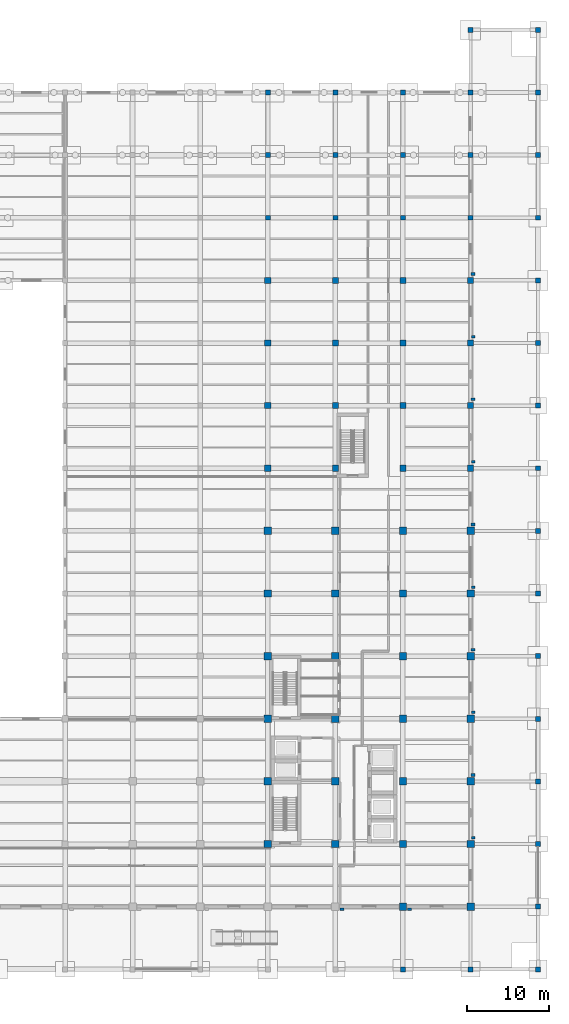
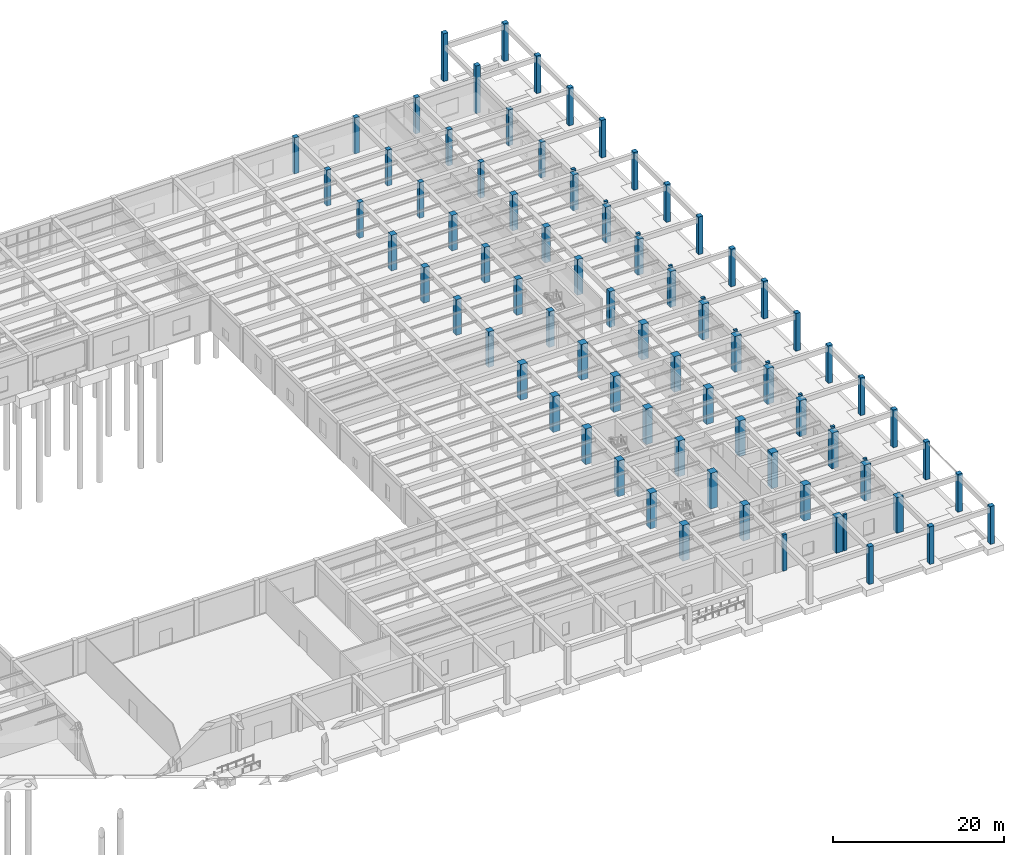
# One storey, part 10 of 64: 85 columns.
"""IFC4 building model written with IfcOpenShell, lengths in metres."""

from ifc_helpers import new_model, si_unit, direction, frame, origin, origin_2d, place, context, subcontext, project, spatial, rectangle, extrude, material, material_profile, profile_set, type_object, element, save


model = new_model("IFC4")

# Units and contexts
model_context = context("Model", 3, precision=1e-05, world=origin(), true_north=direction((0.0, 1.0)))
body_context = subcontext(model_context, "Body", "Model", "MODEL_VIEW")
ifc_project = project(units=[si_unit("LENGTHUNIT", "METRE"), si_unit("AREAUNIT", "SQUARE_METRE"), si_unit("VOLUMEUNIT", "CUBIC_METRE"), si_unit("PLANEANGLEUNIT", "RADIAN"), si_unit("MASSUNIT", "GRAM", prefix="KILO")], contexts=[model_context])

# Site, building, storey
site_placement = place(None, origin())
site = spatial("IfcSite", under=ifc_project, at=site_placement, CompositionType="ELEMENT")
building_placement = place(site_placement, origin())
building = spatial("IfcBuilding", under=site, at=building_placement, Name="Qandaris Square Conservatory and Botanical Centre", CompositionType="ELEMENT")
storey_placement = place(building_placement, origin())
storey = spatial("IfcBuildingStorey", under=building, at=storey_placement, Name="L00", CompositionType="ELEMENT", Elevation=0.0)

# Columns
ifc_material_1 = material(Name="Concrete C50/60", Category="concrete")
ifc_material_profile_1 = material_profile(ifc_material_1, rectangle(XDim=0.449951171875, YDim=0.300048828125, at=origin_2d()), Name="RC-PIL 450x300")
ifc_profile_set_1 = profile_set([ifc_material_profile_1], Name="Concrete C50/60")
column_type_1 = type_object("IfcColumnType", Name="Engaged Prairie Pilaster 450x300", PredefinedType="PILASTER", material=ifc_profile_set_1)
for number, where, z_axis, x_axis, name in (
    (1, (156.3798828125, 16.280029296875, 0.0), (0.0, 0.0, 1.0), (1.0, 0.0, 0.0), "Prairie Pilaster 10 (L00)"),
    (2, (164.1201171875, 24.97998046875, 0.0), (0.0, 0.0, 1.0), (1.0, 0.0, 0.0), "Prairie Pilaster 11 (L00)"),
    (3, (164.1201171875, 40.179931640625, 0.0), (0.0, 0.0, 1.0), (1.0, 0.0, 0.0), "Prairie Pilaster 13 (L00)"),
    (4, (164.1201171875, 55.3798828125, 0.0), (0.0, 0.0, 1.0), (1.0, 0.0, 0.0), "Prairie Pilaster 15 (L00)"),
    (5, (164.1201171875, 70.580078125, 0.0), (0.0, 0.0, 1.0), (1.0, 0.0, 0.0), "Prairie Pilaster 17 (L00)"),
    (6, (164.1201171875, 85.780029296875, 0.0), (0.0, 0.0, 1.0), (1.0, 0.0, 0.0), "Prairie Pilaster 19 (L00)"),
):
    element("IfcColumn", number, at=place(storey_placement, frame(where, z_axis=z_axis, x_axis=x_axis)), inside=storey, type_object=column_type_1, Name=name, PredefinedType="PILASTER", context=body_context, shape_type="SweptSolid", body=[
        extrude(rectangle(XDim=0.449951171875, YDim=0.300048828125, at=origin_2d()), origin(), (0.0, 0.0, 1.0), 5.175048828125),
    ])
ifc_material_profile_2 = material_profile(ifc_material_1, rectangle(XDim=0.5, YDim=0.35009765625, at=origin_2d()), Name="RC-PIL 500x350")
ifc_profile_set_2 = profile_set([ifc_material_profile_2], Name="Concrete C50/60")
column_type_2 = type_object("IfcColumnType", Name="Engaged Prairie Pilaster 500x350", PredefinedType="PILASTER", material=ifc_profile_set_2)
for number, where, z_axis, x_axis, name in (
    (7, (148.179931640625, 16.280029296875, 0.0), (0.0, 0.0, 1.0), (1.0, 0.0, 0.0), "Prairie Pilaster 09 (L00)"),
    (8, (164.1201171875, 32.580078125, 0.0), (0.0, 0.0, 1.0), (1.0, 0.0, 0.0), "Prairie Pilaster 12 (L00)"),
    (9, (164.1201171875, 47.780029296875, 0.0), (0.0, 0.0, 1.0), (1.0, 0.0, 0.0), "Prairie Pilaster 14 (L00)"),
    (10, (164.1201171875, 62.97998046875, 0.0), (0.0, 0.0, 1.0), (1.0, 0.0, 0.0), "Prairie Pilaster 16 (L00)"),
    (11, (164.1201171875, 78.179931640625, 0.0), (0.0, 0.0, 1.0), (1.0, 0.0, 0.0), "Prairie Pilaster 18 (L00)"),
    (12, (164.1201171875, 93.3798828125, 0.0), (0.0, 0.0, 1.0), (1.0, 0.0, 0.0), "Prairie Pilaster 20 (L00)"),
):
    element("IfcColumn", number, at=place(storey_placement, frame(where, z_axis=z_axis, x_axis=x_axis)), inside=storey, type_object=column_type_2, Name=name, PredefinedType="PILASTER", context=body_context, shape_type="SweptSolid", body=[
        extrude(rectangle(XDim=0.5, YDim=0.35009765625, at=origin_2d()), origin(), (0.0, 0.0, 1.0), 5.175048828125),
    ])
ifc_material_2 = material(Name="Concrete C40/50", Category="concrete")
ifc_material_profile_3 = material_profile(ifc_material_2, rectangle(XDim=0.60009765625, YDim=0.60009765625, at=origin_2d()), Name="RC-COL 600x600")
ifc_profile_set_3 = profile_set([ifc_material_profile_3], Name="Concrete C40/50")
column_type_3 = type_object("IfcColumnType", Name="RC Column 600x600", PredefinedType="COLUMN", material=ifc_profile_set_3)
column_1_placement = place(storey_placement, frame((139.199951171875, 100.199951171875, 0.0), z_axis=(0.0, 0.0, 1.0), x_axis=(1.0, 0.0, 0.0)))
element("IfcColumn", 13, at=column_1_placement, inside=storey, type_object=column_type_3, Name="Column N17 (L00)", PredefinedType="COLUMN", context=body_context, shape_type="SweptSolid", body=[
    extrude(rectangle(XDim=0.60009765625, YDim=0.60009765625, at=origin_2d()), origin(), (0.0, 0.0, 1.0), 5.10009765625),
])
for number, where, z_axis, x_axis, name in (
    (14, (139.199951171875, 107.800048828125, 0.0), (0.0, 0.0, 1.0), (1.0, 0.0, 0.0), "Column P17 (L00)"),
    (15, (139.199951171875, 115.39990234375, 0.0), (0.0, 0.0, 1.0), (1.0, 0.0, 0.0), "Column Q17 (L00)"),
):
    element("IfcColumn", number, at=place(storey_placement, frame(where, z_axis=z_axis, x_axis=x_axis)), inside=storey, type_object=column_type_3, Name=name, PredefinedType="COLUMN", context=body_context, shape_type="SweptSolid", body=[
        extrude(rectangle(XDim=0.60009765625, YDim=0.60009765625, at=origin_2d()), origin(), (0.0, 0.0, 1.0), 5.14501953125),
    ])
column_2_placement = place(storey_placement, frame((147.39990234375, 100.199951171875, 0.0), z_axis=(0.0, 0.0, 1.0), x_axis=(1.0, 0.0, 0.0)))
element("IfcColumn", 16, at=column_2_placement, inside=storey, type_object=column_type_3, Name="Column N18 (L00)", PredefinedType="COLUMN", context=body_context, shape_type="SweptSolid", body=[
    extrude(rectangle(XDim=0.60009765625, YDim=0.60009765625, at=origin_2d()), origin(), (0.0, 0.0, 1.0), 5.10009765625),
])
for number, where, z_axis, x_axis, name in (
    (17, (147.39990234375, 107.800048828125, 0.0), (0.0, 0.0, 1.0), (1.0, 0.0, 0.0), "Column P18 (L00)"),
    (18, (147.39990234375, 115.39990234375, 0.0), (0.0, 0.0, 1.0), (1.0, 0.0, 0.0), "Column Q18 (L00)"),
):
    element("IfcColumn", number, at=place(storey_placement, frame(where, z_axis=z_axis, x_axis=x_axis)), inside=storey, type_object=column_type_3, Name=name, PredefinedType="COLUMN", context=body_context, shape_type="SweptSolid", body=[
        extrude(rectangle(XDim=0.60009765625, YDim=0.60009765625, at=origin_2d()), origin(), (0.0, 0.0, 1.0), 5.14501953125),
    ])
column_3_placement = place(storey_placement, frame((155.60009765625, 9.0, 0.0), z_axis=(0.0, 0.0, 1.0), x_axis=(1.0, 0.0, 0.0)))
element("IfcColumn", 19, at=column_3_placement, inside=storey, type_object=column_type_3, Name="Column A19 (L00)", PredefinedType="COLUMN", context=body_context, shape_type="SweptSolid", body=[
    extrude(rectangle(XDim=0.60009765625, YDim=0.60009765625, at=origin_2d()), origin(), (0.0, 0.0, 1.0), 5.39990234375),
])
column_4_placement = place(storey_placement, frame((155.60009765625, 100.199951171875, 0.0), z_axis=(0.0, 0.0, 1.0), x_axis=(1.0, 0.0, 0.0)))
element("IfcColumn", 20, at=column_4_placement, inside=storey, type_object=column_type_3, Name="Column N19 (L00)", PredefinedType="COLUMN", context=body_context, shape_type="SweptSolid", body=[
    extrude(rectangle(XDim=0.60009765625, YDim=0.60009765625, at=origin_2d()), origin(), (0.0, 0.0, 1.0), 5.10009765625),
])
for number, where, z_axis, x_axis, name in (
    (21, (155.60009765625, 107.800048828125, 0.0), (0.0, 0.0, 1.0), (1.0, 0.0, 0.0), "Column P19 (L00)"),
    (22, (155.60009765625, 115.39990234375, 0.0), (0.0, 0.0, 1.0), (1.0, 0.0, 0.0), "Column Q19 (L00)"),
):
    element("IfcColumn", number, at=place(storey_placement, frame(where, z_axis=z_axis, x_axis=x_axis)), inside=storey, type_object=column_type_3, Name=name, PredefinedType="COLUMN", context=body_context, shape_type="SweptSolid", body=[
        extrude(rectangle(XDim=0.60009765625, YDim=0.60009765625, at=origin_2d()), origin(), (0.0, 0.0, 1.0), 5.14501953125),
    ])
column_5_placement = place(storey_placement, frame((163.800048828125, 9.0, 0.0), z_axis=(0.0, 0.0, 1.0), x_axis=(1.0, 0.0, 0.0)))
element("IfcColumn", 23, at=column_5_placement, inside=storey, type_object=column_type_3, Name="Column A20 (L00)", PredefinedType="COLUMN", context=body_context, shape_type="SweptSolid", body=[
    extrude(rectangle(XDim=0.60009765625, YDim=0.60009765625, at=origin_2d()), origin(), (0.0, 0.0, 1.0), 5.39990234375),
])
column_6_placement = place(storey_placement, frame((163.800048828125, 100.199951171875, 0.0), z_axis=(0.0, 0.0, 1.0), x_axis=(1.0, 0.0, 0.0)))
element("IfcColumn", 24, at=column_6_placement, inside=storey, type_object=column_type_3, Name="Column N20 (L00)", PredefinedType="COLUMN", context=body_context, shape_type="SweptSolid", body=[
    extrude(rectangle(XDim=0.60009765625, YDim=0.60009765625, at=origin_2d()), origin(), (0.0, 0.0, 1.0), 5.10009765625),
])
column_7_placement = place(storey_placement, frame((163.800048828125, 107.800048828125, 0.0), z_axis=(0.0, 0.0, 1.0), x_axis=(1.0, 0.0, 0.0)))
element("IfcColumn", 25, at=column_7_placement, inside=storey, type_object=column_type_3, Name="Column P20 (L00)", PredefinedType="COLUMN", context=body_context, shape_type="SweptSolid", body=[
    extrude(rectangle(XDim=0.60009765625, YDim=0.60009765625, at=origin_2d()), origin(), (0.0, 0.0, 1.0), 5.14501953125),
])
for number, where, z_axis, x_axis, name in (
    (26, (163.800048828125, 115.39990234375, 0.0), (0.0, 0.0, 1.0), (1.0, 0.0, 0.0), "Column Q20 (L00)"),
    (27, (163.800048828125, 123.0, 0.0), (0.0, 0.0, 1.0), (1.0, 0.0, 0.0), "Column R20 (L00)"),
):
    element("IfcColumn", number, at=place(storey_placement, frame(where, z_axis=z_axis, x_axis=x_axis)), inside=storey, type_object=column_type_3, Name=name, PredefinedType="COLUMN", context=body_context, shape_type="SweptSolid", body=[
        extrude(rectangle(XDim=0.60009765625, YDim=0.60009765625, at=origin_2d()), origin(), (0.0, 0.0, 1.0), 6.840087890625),
    ])
for number, where, z_axis, x_axis, name in (
    (28, (172.0, 9.0, 0.0), (0.0, 0.0, 1.0), (1.0, 0.0, 0.0), "Column A21 (L00)"),
    (29, (172.0, 16.60009765625, 0.0), (0.0, 0.0, 1.0), (1.0, 0.0, 0.0), "Column B21 (L00)"),
    (30, (172.0, 24.199951171875, 0.0), (0.0, 0.0, 1.0), (1.0, 0.0, 0.0), "Column C21 (L00)"),
    (31, (172.0, 31.800048828125, 0.0), (0.0, 0.0, 1.0), (1.0, 0.0, 0.0), "Column D21 (L00)"),
    (32, (172.0, 39.39990234375, 0.0), (0.0, 0.0, 1.0), (1.0, 0.0, 0.0), "Column E21 (L00)"),
    (33, (172.0, 47.0, 0.0), (0.0, 0.0, 1.0), (1.0, 0.0, 0.0), "Column F21 (L00)"),
    (34, (172.0, 54.60009765625, 0.0), (0.0, 0.0, 1.0), (1.0, 0.0, 0.0), "Column G21 (L00)"),
    (35, (172.0, 62.199951171875, 0.0), (0.0, 0.0, 1.0), (1.0, 0.0, 0.0), "Column H21 (L00)"),
    (36, (172.0, 69.800048828125, 0.0), (0.0, 0.0, 1.0), (1.0, 0.0, 0.0), "Column J21 (L00)"),
    (37, (172.0, 77.39990234375, 0.0), (0.0, 0.0, 1.0), (1.0, 0.0, 0.0), "Column K21 (L00)"),
    (38, (172.0, 85.0, 0.0), (0.0, 0.0, 1.0), (1.0, 0.0, 0.0), "Column L21 (L00)"),
    (39, (172.0, 92.60009765625, 0.0), (0.0, 0.0, 1.0), (1.0, 0.0, 0.0), "Column M21 (L00)"),
    (40, (172.0, 100.199951171875, 0.0), (0.0, 0.0, 1.0), (1.0, 0.0, 0.0), "Column N21 (L00)"),
    (41, (172.0, 107.800048828125, 0.0), (0.0, 0.0, 1.0), (1.0, 0.0, 0.0), "Column P21 (L00)"),
    (42, (172.0, 115.39990234375, 0.0), (0.0, 0.0, 1.0), (1.0, 0.0, 0.0), "Column Q21 (L00)"),
    (43, (172.0, 123.0, 0.0), (0.0, 0.0, 1.0), (1.0, 0.0, 0.0), "Column R21 (L00)"),
):
    element("IfcColumn", number, at=place(storey_placement, frame(where, z_axis=z_axis, x_axis=x_axis)), inside=storey, type_object=column_type_3, Name=name, PredefinedType="COLUMN", context=body_context, shape_type="SweptSolid", body=[
        extrude(rectangle(XDim=0.60009765625, YDim=0.60009765625, at=origin_2d()), origin(), (0.0, 0.0, 1.0), 5.39990234375),
    ])
ifc_material_profile_4 = material_profile(ifc_material_1, rectangle(XDim=0.75, YDim=0.75, at=origin_2d()), Name="RC-COL 750x750")
ifc_profile_set_4 = profile_set([ifc_material_profile_4], Name="Concrete C50/60")
column_type_4 = type_object("IfcColumnType", Name="RC Column 750x750", PredefinedType="COLUMN", material=ifc_profile_set_4)
for number, where, z_axis, x_axis, name in (
    (44, (139.199951171875, 69.800048828125, 0.0), (0.0, 0.0, 1.0), (1.0, 0.0, 0.0), "Column J17 (L00)"),
    (45, (139.199951171875, 77.39990234375, 0.0), (0.0, 0.0, 1.0), (1.0, 0.0, 0.0), "Column K17 (L00)"),
    (46, (139.199951171875, 85.0, 0.0), (0.0, 0.0, 1.0), (1.0, 0.0, 0.0), "Column L17 (L00)"),
    (47, (139.199951171875, 92.60009765625, 0.0), (0.0, 0.0, 1.0), (1.0, 0.0, 0.0), "Column M17 (L00)"),
    (48, (147.39990234375, 69.800048828125, 0.0), (0.0, 0.0, 1.0), (1.0, 0.0, 0.0), "Column J18 (L00)"),
    (49, (147.39990234375, 77.39990234375, 0.0), (0.0, 0.0, 1.0), (1.0, 0.0, 0.0), "Column K18 (L00)"),
    (50, (147.39990234375, 85.0, 0.0), (0.0, 0.0, 1.0), (1.0, 0.0, 0.0), "Column L18 (L00)"),
    (51, (147.39990234375, 92.60009765625, 0.0), (0.0, 0.0, 1.0), (1.0, 0.0, 0.0), "Column M18 (L00)"),
    (52, (155.60009765625, 69.800048828125, 0.0), (0.0, 0.0, 1.0), (1.0, 0.0, 0.0), "Column J19 (L00)"),
    (53, (155.60009765625, 77.39990234375, 0.0), (0.0, 0.0, 1.0), (1.0, 0.0, 0.0), "Column K19 (L00)"),
    (54, (155.60009765625, 85.0, 0.0), (0.0, 0.0, 1.0), (1.0, 0.0, 0.0), "Column L19 (L00)"),
    (55, (155.60009765625, 92.60009765625, 0.0), (0.0, 0.0, 1.0), (1.0, 0.0, 0.0), "Column M19 (L00)"),
    (56, (163.800048828125, 69.800048828125, 0.0), (0.0, 0.0, 1.0), (1.0, 0.0, 0.0), "Column J20 (L00)"),
    (57, (163.800048828125, 77.39990234375, 0.0), (0.0, 0.0, 1.0), (1.0, 0.0, 0.0), "Column K20 (L00)"),
    (58, (163.800048828125, 85.0, 0.0), (0.0, 0.0, 1.0), (1.0, 0.0, 0.0), "Column L20 (L00)"),
    (59, (163.800048828125, 92.60009765625, 0.0), (0.0, 0.0, 1.0), (1.0, 0.0, 0.0), "Column M20 (L00)"),
):
    element("IfcColumn", number, at=place(storey_placement, frame(where, z_axis=z_axis, x_axis=x_axis)), inside=storey, type_object=column_type_4, Name=name, PredefinedType="COLUMN", context=body_context, shape_type="SweptSolid", body=[
        extrude(rectangle(XDim=0.75, YDim=0.75, at=origin_2d()), origin(), (0.0, 0.0, 1.0), 5.10009765625),
    ])
ifc_material_profile_5 = material_profile(ifc_material_1, rectangle(XDim=0.89990234375, YDim=0.89990234375, at=origin_2d()), Name="RC-COL 900x900")
ifc_profile_set_5 = profile_set([ifc_material_profile_5], Name="Concrete C50/60")
column_type_5 = type_object("IfcColumnType", Name="RC Column 900x900", PredefinedType="COLUMN", material=ifc_profile_set_5)
for number, where, z_axis, x_axis, name in (
    (60, (139.199951171875, 24.199951171875, 0.0), (0.0, 0.0, 1.0), (1.0, 0.0, 0.0), "Column C17 (L00)"),
    (61, (139.199951171875, 31.800048828125, 0.0), (0.0, 0.0, 1.0), (1.0, 0.0, 0.0), "Column D17 (L00)"),
    (62, (139.199951171875, 39.39990234375, 0.0), (0.0, 0.0, 1.0), (1.0, 0.0, 0.0), "Column E17 (L00)"),
    (63, (139.199951171875, 47.0, 0.0), (0.0, 0.0, 1.0), (1.0, 0.0, 0.0), "Column F17 (L00)"),
    (64, (139.199951171875, 54.60009765625, 0.0), (0.0, 0.0, 1.0), (1.0, 0.0, 0.0), "Column G17 (L00)"),
    (65, (139.199951171875, 62.199951171875, 0.0), (0.0, 0.0, 1.0), (1.0, 0.0, 0.0), "Column H17 (L00)"),
    (66, (147.39990234375, 24.199951171875, 0.0), (0.0, 0.0, 1.0), (1.0, 0.0, 0.0), "Column C18 (L00)"),
    (67, (147.39990234375, 31.800048828125, 0.0), (0.0, 0.0, 1.0), (1.0, 0.0, 0.0), "Column D18 (L00)"),
    (68, (147.39990234375, 39.39990234375, 0.0), (0.0, 0.0, 1.0), (1.0, 0.0, 0.0), "Column E18 (L00)"),
    (69, (147.39990234375, 47.0, 0.0), (0.0, 0.0, 1.0), (1.0, 0.0, 0.0), "Column F18 (L00)"),
    (70, (147.39990234375, 54.60009765625, 0.0), (0.0, 0.0, 1.0), (1.0, 0.0, 0.0), "Column G18 (L00)"),
    (71, (147.39990234375, 62.199951171875, 0.0), (0.0, 0.0, 1.0), (1.0, 0.0, 0.0), "Column H18 (L00)"),
    (72, (155.60009765625, 16.60009765625, 0.0), (0.0, 0.0, 1.0), (1.0, 0.0, 0.0), "Column B19 (L00)"),
    (73, (155.60009765625, 24.199951171875, 0.0), (0.0, 0.0, 1.0), (1.0, 0.0, 0.0), "Column C19 (L00)"),
    (74, (155.60009765625, 31.800048828125, 0.0), (0.0, 0.0, 1.0), (1.0, 0.0, 0.0), "Column D19 (L00)"),
    (75, (155.60009765625, 39.39990234375, 0.0), (0.0, 0.0, 1.0), (1.0, 0.0, 0.0), "Column E19 (L00)"),
    (76, (155.60009765625, 47.0, 0.0), (0.0, 0.0, 1.0), (1.0, 0.0, 0.0), "Column F19 (L00)"),
    (77, (155.60009765625, 54.60009765625, 0.0), (0.0, 0.0, 1.0), (1.0, 0.0, 0.0), "Column G19 (L00)"),
    (78, (155.60009765625, 62.199951171875, 0.0), (0.0, 0.0, 1.0), (1.0, 0.0, 0.0), "Column H19 (L00)"),
    (79, (163.800048828125, 16.60009765625, 0.0), (0.0, 0.0, 1.0), (1.0, 0.0, 0.0), "Column B20 (L00)"),
    (80, (163.800048828125, 24.199951171875, 0.0), (0.0, 0.0, 1.0), (1.0, 0.0, 0.0), "Column C20 (L00)"),
    (81, (163.800048828125, 31.800048828125, 0.0), (0.0, 0.0, 1.0), (1.0, 0.0, 0.0), "Column D20 (L00)"),
    (82, (163.800048828125, 39.39990234375, 0.0), (0.0, 0.0, 1.0), (1.0, 0.0, 0.0), "Column E20 (L00)"),
    (83, (163.800048828125, 47.0, 0.0), (0.0, 0.0, 1.0), (1.0, 0.0, 0.0), "Column F20 (L00)"),
    (84, (163.800048828125, 54.60009765625, 0.0), (0.0, 0.0, 1.0), (1.0, 0.0, 0.0), "Column G20 (L00)"),
    (85, (163.800048828125, 62.199951171875, 0.0), (0.0, 0.0, 1.0), (1.0, 0.0, 0.0), "Column H20 (L00)"),
):
    element("IfcColumn", number, at=place(storey_placement, frame(where, z_axis=z_axis, x_axis=x_axis)), inside=storey, type_object=column_type_5, Name=name, PredefinedType="COLUMN", context=body_context, shape_type="SweptSolid", body=[
        extrude(rectangle(XDim=0.89990234375, YDim=0.89990234375, at=origin_2d()), origin(), (0.0, 0.0, 1.0), 5.10009765625),
    ])

save(model, "model.ifc")
